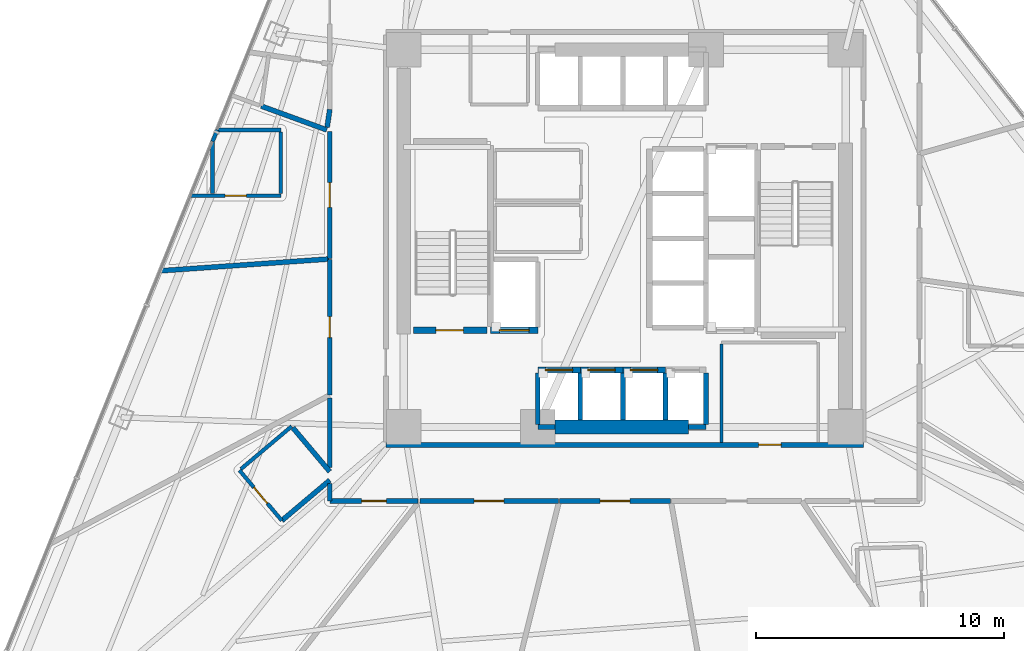
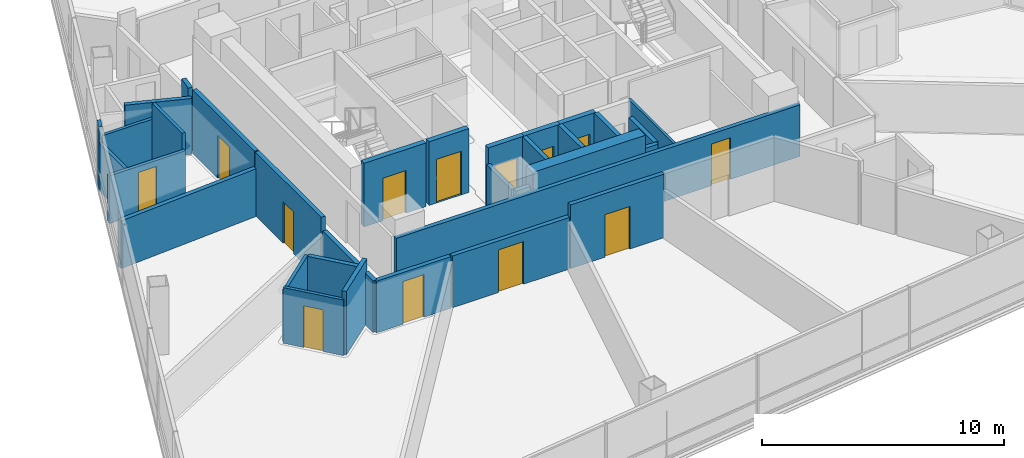
# One storey, part 7 of 15: 34 walls, 13 doors, 13 openings.
"""IFC4 building model written with IfcOpenShell, lengths in metres."""

from ifc_helpers import new_model, si_unit, direction, frame, frame_2d, origin, place, context, subcontext, project, spatial, rectangle, extrude, material, layer, layer_set, type_object, element, fill, save


model = new_model("IFC4")

# Units and contexts
model_context = context("Model", 3, precision=1e-05, world=origin(), true_north=direction((0.0, 1.0)))
body_context = subcontext(model_context, "Body", "Model", "MODEL_VIEW")
ifc_project = project(units=[si_unit("LENGTHUNIT", "METRE"), si_unit("AREAUNIT", "SQUARE_METRE"), si_unit("VOLUMEUNIT", "CUBIC_METRE"), si_unit("PLANEANGLEUNIT", "RADIAN"), si_unit("MASSUNIT", "GRAM", prefix="KILO")], contexts=[model_context])

# Site, building, storey
site_placement = place(None, origin())
site = spatial("IfcSite", under=ifc_project, at=site_placement, CompositionType="ELEMENT")
building_placement = place(site_placement, origin())
building = spatial("IfcBuilding", under=site, at=building_placement, Name="Tharavind Bronze Gate", CompositionType="ELEMENT")
storey_placement = place(building_placement, frame((0.0, 0.0, 77.64990234375)))
storey = spatial("IfcBuildingStorey", under=building, at=storey_placement, Name="L19", CompositionType="ELEMENT", Elevation=77.64990234375)

# Wall, opening, door
ifc_material_1 = material(Name="Aerated Concrete Block", Category="concrete")
ifc_layer_1 = layer(ifc_material_1, 0.199951171875)
ifc_layer_set_1 = layer_set([ifc_layer_1], Name="Aerated Concrete Block")
wall_type_1 = type_object("IfcWallType", Name="FIRE RATED PARTITION 200", PredefinedType="PARTITIONING", material=ifc_layer_set_1)
wall_1_placement = place(storey_placement, frame((-9.6201171875, -8.320068359375, 0.0), z_axis=(0.0, 0.0, 1.0), x_axis=(1.0, 0.0, 0.0)))
wall_1 = element("IfcWall", 1, at=wall_1_placement, inside=storey, type_object=wall_type_1, Name="L19 south core corridor wall", PredefinedType="PARTITIONING", context=body_context, shape_type="SweptSolid", body=[
    extrude(rectangle(XDim=19.240234375, YDim=0.199951171875, at=frame_2d((9.6201171875, 0.0))), origin(), (0.0, 0.0, 1.0), 2.60498046875),
])
opening_1_placement = place(wall_1_placement, frame((15.02001953125, 0.0, 0.0)))
opening_1 = element("IfcOpeningElement", 2, at=opening_1_placement, cuts=wall_1, Name="Opening ID07", PredefinedType="OPENING", context=body_context, shape_type="SweptSolid", body=[
    extrude(rectangle(XDim=0.89990234375, YDim=2.10009765625, at=frame_2d((0.449951171875, 1.050048828125))), frame((0.0, 0.11009765625, 0.0), z_axis=(0.0, -1.0, 0.0), x_axis=(1.0, 0.0, 0.0)), (0.0, 0.0, 1.0), 0.219951171875),
])
ifc_material_2 = material(Name="Galvanised Fire Steel", Category="steel")
door_type_1 = type_object("IfcDoorType", Name="PLANT AND RISER FIRE DOOR 900X2100", OperationType="SINGLE_SWING_LEFT", PredefinedType="DOOR", material=ifc_material_2)
door_1_placement = place(opening_1_placement, origin())
door_1 = element("IfcDoor", 3, at=door_1_placement, inside=storey, type_object=door_type_1, Name="L19 Telecom Metering Room fire door", OperationType="SINGLE_SWING_LEFT", OverallHeight=2.10009765625, OverallWidth=0.89990234375, PredefinedType="DOOR", context=body_context, shape_type="SweptSolid", body=[
    extrude(rectangle(XDim=0.89990234375, YDim=2.10009765625, at=frame_2d((0.449951171875, 1.050048828125))), frame((0.0, 0.02490234375, 0.0), z_axis=(0.0, -1.0, 0.0), x_axis=(1.0, 0.0, 0.0)), (0.0, 0.0, 1.0), 0.050048828125),
])
fill(opening_1, door_1)

# Walls
wall_2_placement = place(storey_placement, frame((-12.0, 4.36767578125, 0.0), z_axis=(0.0, 0.0, 1.0), x_axis=(-0.939689330019, 0.342029184499, 0.0)))
element("IfcWall", 4, at=wall_2_placement, inside=storey, type_object=wall_type_1, Name="L19 En-Suite Bathroom partition", PredefinedType="PARTITIONING", context=body_context, shape_type="SweptSolid", body=[
    extrude(rectangle(XDim=2.808837890625, YDim=0.199951171875, at=frame_2d((1.404296875, 0.0))), origin(), (0.0, 0.0, 1.0), 2.80517578125),
])
wall_3_placement = place(storey_placement, frame((-11.8798828125, 5.19384765625, 0.0), z_axis=(0.0, 0.0, 1.0), x_axis=(-0.143909981619, -0.989590782693, 0.0)))
element("IfcWall", 5, at=wall_3_placement, inside=storey, type_object=wall_type_1, Name="L19 En-Suite Bathroom partition", PredefinedType="PARTITIONING", context=body_context, shape_type="SweptSolid", body=[
    extrude(rectangle(XDim=0.727783203125, YDim=0.199951171875, at=frame_2d((0.36376953125, 0.0))), origin(), (0.0, 0.0, 1.0), 3.210205078125),
])
wall_4_placement = place(storey_placement, frame((-11.8798828125, -9.744873046875, 0.0), z_axis=(0.0, 0.0, 1.0), x_axis=(-0.764712982519, -0.644371053328, 0.0)))
element("IfcWall", 6, at=wall_4_placement, inside=storey, type_object=wall_type_1, Name="L19 En-Suite Bathroom partition", PredefinedType="PARTITIONING", context=body_context, shape_type="SweptSolid", body=[
    extrude(rectangle(XDim=2.523681640625, YDim=0.199951171875, at=frame_2d((1.26171875, 0.0))), origin(), (0.0, 0.0, 1.0), 3.210205078125),
])
wall_5_placement = place(storey_placement, frame((-13.363037109375, -7.6337890625, 0.0), z_axis=(0.0, 0.0, 1.0), x_axis=(0.644400290836, -0.764688345125, 0.0)))
element("IfcWall", 7, at=wall_5_placement, inside=storey, type_object=wall_type_1, Name="L19 En-Suite Bathroom partition", PredefinedType="PARTITIONING", context=body_context, shape_type="SweptSolid", body=[
    extrude(rectangle(XDim=2.301513671875, YDim=0.199951171875, at=frame_2d((1.15087890625, 0.0))), origin(), (0.0, 0.0, 1.0), 2.60498046875),
])
wall_6_placement = place(storey_placement, frame((-18.688232421875, -1.306884765625, 0.0), z_axis=(0.0, 0.0, 1.0), x_axis=(0.997562443225, 0.069779451603, 0.0)))
element("IfcWall", 8, at=wall_6_placement, inside=storey, type_object=wall_type_1, Name="L19 Public Restrooms Block partition", PredefinedType="PARTITIONING", context=body_context, shape_type="SweptSolid", body=[
    extrude(rectangle(XDim=6.798095703125, YDim=0.199951171875, at=frame_2d((3.39892578125, 0.0))), origin(), (0.0, 0.0, 1.0), 2.405029296875),
])

# Wall, opening, door
wall_7_placement = place(storey_placement, frame((-11.8798828125, -0.857421875, 0.0), z_axis=(0.0, 0.0, 1.0), x_axis=(0.0, -1.0, 0.0)))
wall_7 = element("IfcWall", 9, at=wall_7_placement, inside=storey, type_object=wall_type_1, Name="L19 Public Restrooms Block partition", PredefinedType="PARTITIONING", context=body_context, shape_type="SweptSolid", body=[
    extrude(rectangle(XDim=5.4443359375, YDim=0.199951171875, at=frame_2d((2.72216796875, 0.0))), origin(), (0.0, 0.0, 1.0), 3.210205078125),
])
opening_2_placement = place(wall_7_placement, frame((2.297119140625, 0.0, 0.0)))
opening_2 = element("IfcOpeningElement", 10, at=opening_2_placement, cuts=wall_7, Name="Opening ID06", PredefinedType="OPENING", context=body_context, shape_type="SweptSolid", body=[
    extrude(rectangle(XDim=0.85009765625, YDim=2.10009765625, at=frame_2d((0.425048828125, 1.050048828125))), frame((0.0, 0.11009765625, 0.0), z_axis=(0.0, -1.0, 0.0), x_axis=(1.0, 0.0, 0.0)), (0.0, 0.0, 1.0), 0.219951171875),
])
ifc_material_3 = material(Name="Moisture-Resistant Timber", Category="wood")
door_type_2 = type_object("IfcDoorType", Name="BATHROOM PRIVACY DOOR 850X2100", OperationType="SINGLE_SWING_RIGHT", PredefinedType="DOOR", material=ifc_material_3)
door_2_placement = place(opening_2_placement, origin())
door_2 = element("IfcDoor", 11, at=door_2_placement, inside=storey, type_object=door_type_2, Name="L19 Public Restrooms Block door", OperationType="SINGLE_SWING_RIGHT", OverallHeight=2.10009765625, OverallWidth=0.85009765625, PredefinedType="DOOR", context=body_context, shape_type="SweptSolid", body=[
    extrude(rectangle(XDim=0.85009765625, YDim=2.10009765625, at=frame_2d((0.425048828125, 1.050048828125))), frame((0.0, 0.02490234375, 0.0), z_axis=(0.0, -1.0, 0.0), x_axis=(1.0, 0.0, 0.0)), (0.0, 0.0, 1.0), 0.050048828125),
])
fill(opening_2, door_2)

wall_8_placement = place(storey_placement, frame((-11.8798828125, 4.306396484375, 0.0), z_axis=(0.0, 0.0, 1.0), x_axis=(0.0, -1.0, 0.0)))
wall_8 = element("IfcWall", 12, at=wall_8_placement, inside=storey, type_object=wall_type_1, Name="L19 Hotel Guest Room partition", PredefinedType="PARTITIONING", context=body_context, shape_type="SweptSolid", body=[
    extrude(rectangle(XDim=5.11376953125, YDim=0.199951171875, at=frame_2d((2.556884765625, 0.0))), origin(), (0.0, 0.0, 1.0), 3.210205078125),
])
opening_3_placement = place(wall_8_placement, frame((2.056884765625, 0.0, 0.0)))
opening_3 = element("IfcOpeningElement", 13, at=opening_3_placement, cuts=wall_8, Name="Opening ID03", PredefinedType="OPENING", context=body_context, shape_type="SweptSolid", body=[
    extrude(rectangle(XDim=1.0, YDim=2.14990234375, at=frame_2d((0.5, 1.074951171875))), frame((0.0, 0.11009765625, 0.0), z_axis=(0.0, -1.0, 0.0), x_axis=(1.0, 0.0, 0.0)), (0.0, 0.0, 1.0), 0.219951171875),
])
ifc_material_4 = material(Name="Solid Timber Veneer", Category="wood")
door_type_3 = type_object("IfcDoorType", Name="HOTEL SUITE ENTRANCE DOOR 1000X2150", OperationType="SINGLE_SWING_LEFT", PredefinedType="DOOR", material=ifc_material_4)
door_3_placement = place(opening_3_placement, origin())
door_3 = element("IfcDoor", 14, at=door_3_placement, inside=storey, type_object=door_type_3, Name="L19 Hotel Guest Room door", OperationType="SINGLE_SWING_LEFT", OverallHeight=2.14990234375, OverallWidth=1.0, PredefinedType="DOOR", context=body_context, shape_type="SweptSolid", body=[
    extrude(rectangle(XDim=1.0, YDim=2.14990234375, at=frame_2d((0.5, 1.074951171875))), frame((0.0, 0.02490234375, 0.0), z_axis=(0.0, -1.0, 0.0), x_axis=(1.0, 0.0, 0.0)), (0.0, 0.0, 1.0), 0.050048828125),
])
fill(opening_3, door_3)

# Walls
wall_9_placement = place(storey_placement, frame((-11.8798828125, -6.435546875, 0.0), z_axis=(0.0, 0.0, 1.0), x_axis=(0.0, -1.0, 0.0)))
element("IfcWall", 15, at=wall_9_placement, inside=storey, type_object=wall_type_1, Name="L19 Deluxe Hotel Suite partition", PredefinedType="PARTITIONING", context=body_context, shape_type="SweptSolid", body=[
    extrude(rectangle(XDim=2.795166015625, YDim=0.199951171875, at=frame_2d((1.3974609375, 0.0))), origin(), (0.0, 0.0, 1.0), 2.60498046875),
])
wall_10_placement = place(storey_placement, frame((-11.8798828125, -9.882080078125, 0.0), z_axis=(0.0, 0.0, 1.0), x_axis=(0.0, -1.0, 0.0)))
element("IfcWall", 16, at=wall_10_placement, inside=storey, type_object=wall_type_1, Name="L19 Deluxe Hotel Suite partition", PredefinedType="PARTITIONING", context=body_context, shape_type="SweptSolid", body=[
    extrude(rectangle(XDim=0.697265625, YDim=0.199951171875, at=frame_2d((0.3486328125, 0.0))), origin(), (0.0, 0.0, 1.0), 2.60498046875),
])

# Wall, opening, door
wall_11_placement = place(storey_placement, frame((-11.87939453125, -10.580078125, 0.0), z_axis=(0.0, 0.0, 1.0), x_axis=(1.0, 0.0, 0.0)))
wall_11 = element("IfcWall", 17, at=wall_11_placement, inside=storey, type_object=wall_type_1, Name="L19 Deluxe Hotel Suite partition", PredefinedType="PARTITIONING", context=body_context, shape_type="SweptSolid", body=[
    extrude(rectangle(XDim=3.56201171875, YDim=0.199951171875, at=frame_2d((1.781005859375, 0.0))), origin(), (0.0, 0.0, 1.0), 2.60498046875),
])
opening_4_placement = place(wall_11_placement, frame((1.281005859375, 0.0, 0.0)))
opening_4 = element("IfcOpeningElement", 18, at=opening_4_placement, cuts=wall_11, Name="Opening ID03", PredefinedType="OPENING", context=body_context, shape_type="SweptSolid", body=[
    extrude(rectangle(XDim=1.0, YDim=2.14990234375, at=frame_2d((0.5, 1.074951171875))), frame((0.0, 0.11009765625, 0.0), z_axis=(0.0, -1.0, 0.0), x_axis=(1.0, 0.0, 0.0)), (0.0, 0.0, 1.0), 0.219951171875),
])
door_4_placement = place(opening_4_placement, origin())
door_4 = element("IfcDoor", 19, at=door_4_placement, inside=storey, type_object=door_type_3, Name="L19 Deluxe Hotel Suite door", OperationType="SINGLE_SWING_LEFT", OverallHeight=2.14990234375, OverallWidth=1.0, PredefinedType="DOOR", context=body_context, shape_type="SweptSolid", body=[
    extrude(rectangle(XDim=1.0, YDim=2.14990234375, at=frame_2d((0.5, 1.074951171875))), frame((0.0, 0.02490234375, 0.0), z_axis=(0.0, -1.0, 0.0), x_axis=(1.0, 0.0, 0.0)), (0.0, 0.0, 1.0), 0.050048828125),
])
fill(opening_4, door_4)

wall_12_placement = place(storey_placement, frame((-8.25390625, -10.580078125, 0.0), z_axis=(0.0, 0.0, 1.0), x_axis=(1.0, 0.0, 0.0)))
wall_12 = element("IfcWall", 20, at=wall_12_placement, inside=storey, type_object=wall_type_1, Name="L19 Hotel Guest Lounge partition", PredefinedType="PARTITIONING", context=body_context, shape_type="SweptSolid", body=[
    extrude(rectangle(XDim=5.583984375, YDim=0.199951171875, at=frame_2d((2.7919921875, 0.0))), origin(), (0.0, 0.0, 1.0), 2.60498046875),
])
opening_5_placement = place(wall_12_placement, frame((2.19189453125, 0.0, 0.0)))
opening_5 = element("IfcOpeningElement", 21, at=opening_5_placement, cuts=wall_12, Name="Opening ID05", PredefinedType="OPENING", context=body_context, shape_type="SweptSolid", body=[
    extrude(rectangle(XDim=1.199951171875, YDim=2.14990234375, at=frame_2d((0.60009765625, 1.074951171875))), frame((0.0, 0.11009765625, 0.0), z_axis=(0.0, -1.0, 0.0), x_axis=(1.0, 0.0, 0.0)), (0.0, 0.0, 1.0), 0.219951171875),
])
ifc_material_5 = material(Name="Acoustic Laminated Glass", Category="glass")
door_type_4 = type_object("IfcDoorType", Name="MEETING ROOM GLAZED DOOR 1200X2150", OperationType="SINGLE_SWING_LEFT", PredefinedType="DOOR", material=ifc_material_5)
door_5_placement = place(opening_5_placement, origin())
door_5 = element("IfcDoor", 22, at=door_5_placement, inside=storey, type_object=door_type_4, Name="L19 Hotel Guest Lounge door", OperationType="SINGLE_SWING_LEFT", OverallHeight=2.14990234375, OverallWidth=1.199951171875, PredefinedType="DOOR", context=body_context, shape_type="SweptSolid", body=[
    extrude(rectangle(XDim=1.199951171875, YDim=2.14990234375, at=frame_2d((0.60009765625, 1.074951171875))), frame((0.0, 0.02490234375, 0.0), z_axis=(0.0, -1.0, 0.0), x_axis=(1.0, 0.0, 0.0)), (0.0, 0.0, 1.0), 0.050048828125),
])
fill(opening_5, door_5)

wall_13_placement = place(storey_placement, frame((-2.618408203125, -10.580078125, 0.0), z_axis=(0.0, 0.0, 1.0), x_axis=(1.0, 0.0, 0.0)))
wall_13 = element("IfcWall", 23, at=wall_13_placement, inside=storey, type_object=wall_type_1, Name="L19 Hotel Guest Lounge partition", PredefinedType="PARTITIONING", context=body_context, shape_type="SweptSolid", body=[
    extrude(rectangle(XDim=4.462890625, YDim=0.199951171875, at=frame_2d((2.2314453125, 0.0))), origin(), (0.0, 0.0, 1.0), 3.210205078125),
])
opening_6_placement = place(wall_13_placement, frame((1.631103515625, 0.0, 0.0)))
opening_6 = element("IfcOpeningElement", 24, at=opening_6_placement, cuts=wall_13, Name="Opening ID05", PredefinedType="OPENING", context=body_context, shape_type="SweptSolid", body=[
    extrude(rectangle(XDim=1.199951171875, YDim=2.14990234375, at=frame_2d((0.60009765625, 1.074951171875))), frame((0.0, 0.11009765625, 0.0), z_axis=(0.0, -1.0, 0.0), x_axis=(1.0, 0.0, 0.0)), (0.0, 0.0, 1.0), 0.219951171875),
])
door_6_placement = place(opening_6_placement, origin())
door_6 = element("IfcDoor", 25, at=door_6_placement, inside=storey, type_object=door_type_4, Name="L19 Hotel Guest Lounge door", OperationType="SINGLE_SWING_LEFT", OverallHeight=2.14990234375, OverallWidth=1.199951171875, PredefinedType="DOOR", context=body_context, shape_type="SweptSolid", body=[
    extrude(rectangle(XDim=1.199951171875, YDim=2.14990234375, at=frame_2d((0.60009765625, 1.074951171875))), frame((0.0, 0.02490234375, 0.0), z_axis=(0.0, -1.0, 0.0), x_axis=(1.0, 0.0, 0.0)), (0.0, 0.0, 1.0), 0.050048828125),
])
fill(opening_6, door_6)

# Wall
ifc_material_6 = material(Name="Metal Stud Gypsum Partition", Category="gypsum")
ifc_layer_2 = layer(ifc_material_6, 0.1201171875)
ifc_layer_set_2 = layer_set([ifc_layer_2], Name="Metal Stud Gypsum Partition")
wall_type_2 = type_object("IfcWallType", Name="INTERIOR PARTITION WALL 120", PredefinedType="PARTITIONING", material=ifc_layer_set_2)
wall_14_placement = place(storey_placement, frame((3.89990234375, -4.264892578125, 0.0), z_axis=(0.0, 0.0, 1.0), x_axis=(0.0, -1.0, 0.0)))
element("IfcWall", 26, at=wall_14_placement, inside=storey, type_object=wall_type_2, Name="L19 Telecom Metering Room partition 4", PredefinedType="PARTITIONING", context=body_context, shape_type="SweptSolid", body=[
    extrude(rectangle(XDim=3.9501953125, YDim=0.1201171875, at=frame_2d((1.97509765625, 0.0))), origin(), (0.0, 0.0, 1.0), 2.405029296875),
])

# Wall, opening, door
ifc_material_7 = material(Name="Twin Stud Acoustic Gypsum", Category="gypsum")
ifc_layer_3 = layer(ifc_material_7, 0.14990234375)
ifc_layer_set_3 = layer_set([ifc_layer_3], Name="Twin Stud Acoustic Gypsum")
wall_type_3 = type_object("IfcWallType", Name="INTERIOR PARTITION WALL 150", PredefinedType="PARTITIONING", material=ifc_layer_set_3)
wall_15_placement = place(storey_placement, frame((-13.85009765625, 1.717529296875, 0.0), z_axis=(0.0, 0.0, 1.0), x_axis=(-1.0, 0.0, 0.0)))
wall_15 = element("IfcWall", 27, at=wall_15_placement, inside=storey, type_object=wall_type_3, Name="L19 En-Suite Bathroom partition", PredefinedType="PARTITIONING", context=body_context, shape_type="SweptSolid", body=[
    extrude(rectangle(XDim=3.63134765625, YDim=0.14990234375, at=frame_2d((1.815673828125, 0.0))), origin(), (0.0, 0.0, 1.0), 2.405029296875),
])
opening_7_placement = place(wall_15_placement, frame((1.39111328125, 0.0, 0.0)))
opening_7 = element("IfcOpeningElement", 28, at=opening_7_placement, cuts=wall_15, Name="Opening ID06", PredefinedType="OPENING", context=body_context, shape_type="SweptSolid", body=[
    extrude(rectangle(XDim=0.85009765625, YDim=2.10009765625, at=frame_2d((0.425048828125, 1.050048828125))), frame((0.0, 0.084951171875, 0.0), z_axis=(0.0, -1.0, 0.0), x_axis=(1.0, 0.0, 0.0)), (0.0, 0.0, 1.0), 0.16990234375),
])
door_7_placement = place(opening_7_placement, origin())
door_7 = element("IfcDoor", 29, at=door_7_placement, inside=storey, type_object=door_type_2, Name="L19 En-Suite Bathroom door", OperationType="SINGLE_SWING_RIGHT", OverallHeight=2.10009765625, OverallWidth=0.85009765625, PredefinedType="DOOR", context=body_context, shape_type="SweptSolid", body=[
    extrude(rectangle(XDim=0.85009765625, YDim=2.10009765625, at=frame_2d((0.425048828125, 1.050048828125))), frame((0.0, 0.02490234375, 0.0), z_axis=(0.0, -1.0, 0.0), x_axis=(1.0, 0.0, 0.0)), (0.0, 0.0, 1.0), 0.050048828125),
])
fill(opening_7, door_7)

# Walls
wall_16_placement = place(storey_placement, frame((-16.60009765625, 1.797607421875, 0.0), z_axis=(0.0, 0.0, 1.0), x_axis=(0.0, 1.0, 0.0)))
element("IfcWall", 30, at=wall_16_placement, inside=storey, type_object=wall_type_3, Name="L19 En-Suite Bathroom partition", PredefinedType="PARTITIONING", context=body_context, shape_type="SweptSolid", body=[
    extrude(rectangle(XDim=2.1015625, YDim=0.14990234375, at=frame_2d((1.05078125, 0.0))), origin(), (0.0, 0.0, 1.0), 2.405029296875),
])
wall_17_placement = place(storey_placement, frame((-16.60009765625, 3.899169921875, 0.0), z_axis=(0.0, 0.0, 1.0), x_axis=(0.374886357565, 0.92707077341, 0.0)))
element("IfcWall", 31, at=wall_17_placement, inside=storey, type_object=wall_type_3, Name="L19 En-Suite Bathroom partition", PredefinedType="PARTITIONING", context=body_context, shape_type="SweptSolid", body=[
    extrude(rectangle(XDim=0.50537109375, YDim=0.14990234375, at=frame_2d((0.252685546875, 0.0))), origin(), (0.0, 0.0, 1.0), 3.210205078125),
])
wall_18_placement = place(storey_placement, frame((-16.41064453125, 4.36767578125, 0.0), z_axis=(0.0, 0.0, 1.0), x_axis=(1.0, 0.0, 0.0)))
element("IfcWall", 32, at=wall_18_placement, inside=storey, type_object=wall_type_3, Name="L19 En-Suite Bathroom partition", PredefinedType="PARTITIONING", context=body_context, shape_type="SweptSolid", body=[
    extrude(rectangle(XDim=2.560546875, YDim=0.14990234375, at=frame_2d((1.2802734375, 0.0))), origin(), (0.0, 0.0, 1.0), 2.405029296875),
])
wall_19_placement = place(storey_placement, frame((-13.85009765625, 4.28759765625, 0.0), z_axis=(0.0, 0.0, 1.0), x_axis=(0.0, -1.0, 0.0)))
element("IfcWall", 33, at=wall_19_placement, inside=storey, type_object=wall_type_3, Name="L19 En-Suite Bathroom partition", PredefinedType="PARTITIONING", context=body_context, shape_type="SweptSolid", body=[
    extrude(rectangle(XDim=2.489990234375, YDim=0.14990234375, at=frame_2d((1.2451171875, 0.0))), origin(), (0.0, 0.0, 1.0), 3.210205078125),
])

# Wall, opening, door
wall_20_placement = place(storey_placement, frame((-13.809814453125, -11.37109375, 0.0), z_axis=(0.0, 0.0, 1.0), x_axis=(-0.644478981733, 0.764622025647, 0.0)))
wall_20 = element("IfcWall", 34, at=wall_20_placement, inside=storey, type_object=wall_type_3, Name="L19 En-Suite Bathroom partition", PredefinedType="PARTITIONING", context=body_context, shape_type="SweptSolid", body=[
    extrude(rectangle(XDim=2.64990234375, YDim=0.14990234375, at=frame_2d((1.324951171875, 0.0))), origin(), (0.0, 0.0, 1.0), 2.80517578125),
])
opening_8_placement = place(wall_20_placement, frame((0.89990234375, 0.0, 0.0)))
opening_8 = element("IfcOpeningElement", 35, at=opening_8_placement, cuts=wall_20, Name="Opening ID06", PredefinedType="OPENING", context=body_context, shape_type="SweptSolid", body=[
    extrude(rectangle(XDim=0.85009765625, YDim=2.10009765625, at=frame_2d((0.425048828125, 1.050048828125))), frame((0.0, 0.084951171875, 0.0), z_axis=(0.0, -1.0, 0.0), x_axis=(1.0, 0.0, 0.0)), (0.0, 0.0, 1.0), 0.16990234375),
])
door_8_placement = place(opening_8_placement, origin())
door_8 = element("IfcDoor", 36, at=door_8_placement, inside=storey, type_object=door_type_2, Name="L19 En-Suite Bathroom door", OperationType="SINGLE_SWING_RIGHT", OverallHeight=2.10009765625, OverallWidth=0.85009765625, PredefinedType="DOOR", context=body_context, shape_type="SweptSolid", body=[
    extrude(rectangle(XDim=0.85009765625, YDim=2.10009765625, at=frame_2d((0.425048828125, 1.050048828125))), frame((0.0, 0.02490234375, 0.0), z_axis=(0.0, -1.0, 0.0), x_axis=(1.0, 0.0, 0.0)), (0.0, 0.0, 1.0), 0.050048828125),
])
fill(opening_8, door_8)

# Wall
wall_21_placement = place(storey_placement, frame((-15.456298828125, -9.293212890625, 0.0), z_axis=(0.0, 0.0, 1.0), x_axis=(0.764709608169, 0.644375057846, 0.0)))
element("IfcWall", 37, at=wall_21_placement, inside=storey, type_object=wall_type_3, Name="L19 En-Suite Bathroom partition", PredefinedType="PARTITIONING", context=body_context, shape_type="SweptSolid", body=[
    extrude(rectangle(XDim=2.669921875, YDim=0.14990234375, at=frame_2d((1.3349609375, 0.0))), origin(), (0.0, 0.0, 1.0), 2.60498046875),
])

# Wall, opening, door
ifc_material_8 = material(Name="Concrete C50/60", Category="concrete")
ifc_layer_4 = layer(ifc_material_8, 0.25)
ifc_layer_set_4 = layer_set([ifc_layer_4], Name="Concrete C50/60")
wall_type_4 = type_object("IfcWallType", Name="RC CORE SHEAR WALL 250", PredefinedType="SHEAR", material=ifc_layer_set_4)
wall_22_placement = place(storey_placement, frame((-8.5, -3.699951171875, 0.0), z_axis=(0.0, 0.0, 1.0), x_axis=(1.0, 0.0, 0.0)))
wall_22 = element("IfcWall", 38, at=wall_22_placement, inside=storey, type_object=wall_type_4, Name="L19 ST1 shaft south wall", PredefinedType="SHEAR", context=body_context, shape_type="SweptSolid", body=[
    extrude(rectangle(XDim=2.949951171875, YDim=0.25, at=frame_2d((1.47509765625, 0.0))), origin(), (0.0, 0.0, 1.0), 3.210205078125),
])
opening_9_placement = place(wall_22_placement, frame((0.89990234375, 0.0, 0.0)))
opening_9 = element("IfcOpeningElement", 39, at=opening_9_placement, cuts=wall_22, Name="Opening ID01", PredefinedType="OPENING", context=body_context, shape_type="SweptSolid", body=[
    extrude(rectangle(XDim=1.10009765625, YDim=2.14990234375, at=frame_2d((0.550048828125, 1.074951171875))), frame((0.0, 0.135, 0.0), z_axis=(0.0, -1.0, 0.0), x_axis=(1.0, 0.0, 0.0)), (0.0, 0.0, 1.0), 0.27),
])
ifc_material_9 = material(Name="Fire-Rated Steel", Category="steel")
door_type_5 = type_object("IfcDoorType", Name="STAIR CORE FIRE DOOR 1100X2150", OperationType="SINGLE_SWING_LEFT", PredefinedType="DOOR", material=ifc_material_9)
door_9_placement = place(opening_9_placement, origin())
door_9 = element("IfcDoor", 40, at=door_9_placement, inside=storey, type_object=door_type_5, Name="L19 exit stair ST1 fire door", OperationType="SINGLE_SWING_LEFT", OverallHeight=2.14990234375, OverallWidth=1.10009765625, PredefinedType="DOOR", context=body_context, shape_type="SweptSolid", body=[
    extrude(rectangle(XDim=1.10009765625, YDim=2.14990234375, at=frame_2d((0.550048828125, 1.074951171875))), frame((0.0, 0.02490234375, 0.0), z_axis=(0.0, -1.0, 0.0), x_axis=(1.0, 0.0, 0.0)), (0.0, 0.0, 1.0), 0.050048828125),
])
fill(opening_9, door_9)

wall_23_placement = place(storey_placement, frame((-3.5, -5.300048828125, 0.0), z_axis=(0.0, 0.0, 1.0), x_axis=(1.0, 0.0, 0.0)))
wall_23 = element("IfcWall", 41, at=wall_23_placement, inside=storey, type_object=wall_type_4, Name="L19 lift PL1 shaft front wall", PredefinedType="SHEAR", context=body_context, shape_type="SweptSolid", body=[
    extrude(rectangle(XDim=1.71240234375, YDim=0.25, at=frame_2d((0.856201171875, 0.0))), origin(), (0.0, 0.0, 1.0), 3.210205078125),
])
opening_10_placement = place(wall_23_placement, frame((0.305908203125, 0.0, 0.0)))
opening_10 = element("IfcOpeningElement", 42, at=opening_10_placement, cuts=wall_23, Name="Opening LD01", PredefinedType="OPENING", context=body_context, shape_type="SweptSolid", body=[
    extrude(rectangle(XDim=1.10009765625, YDim=2.199951171875, at=frame_2d((0.550048828125, 1.10009765625))), frame((0.0, 0.135, 0.0), z_axis=(0.0, -1.0, 0.0), x_axis=(1.0, 0.0, 0.0)), (0.0, 0.0, 1.0), 0.27),
])
ifc_material_10 = material(Name="Brushed Bronze Stainless Steel", Category="steel")
door_type_6 = type_object("IfcDoorType", Name="LIFT LANDING SLIDING DOOR 1100X2200", OperationType="SLIDING_TO_LEFT", PredefinedType="DOOR", material=ifc_material_10)
door_10_placement = place(opening_10_placement, origin())
door_10 = element("IfcDoor", 43, at=door_10_placement, inside=storey, type_object=door_type_6, Name="L19 lift PL1 sliding landing door", OperationType="SLIDING_TO_LEFT", OverallHeight=2.199951171875, OverallWidth=1.10009765625, PredefinedType="DOOR", context=body_context, shape_type="SweptSolid", body=[
    extrude(rectangle(XDim=1.10009765625, YDim=2.199951171875, at=frame_2d((0.550048828125, 1.10009765625))), frame((0.0, 0.02490234375, 0.0), z_axis=(0.0, -1.0, 0.0), x_axis=(1.0, 0.0, 0.0)), (0.0, 0.0, 1.0), 0.050048828125),
])
fill(opening_10, door_10)

wall_24_placement = place(storey_placement, frame((-1.78759765625, -5.300048828125, 0.0), z_axis=(0.0, 0.0, 1.0), x_axis=(1.0, 0.0, 0.0)))
wall_24 = element("IfcWall", 44, at=wall_24_placement, inside=storey, type_object=wall_type_4, Name="L19 lift PL2 shaft front wall", PredefinedType="SHEAR", context=body_context, shape_type="SweptSolid", body=[
    extrude(rectangle(XDim=1.712646484375, YDim=0.25, at=frame_2d((0.8564453125, 0.0))), origin(), (0.0, 0.0, 1.0), 3.210205078125),
])
opening_11_placement = place(wall_24_placement, frame((0.305908203125, 0.0, 0.0)))
opening_11 = element("IfcOpeningElement", 45, at=opening_11_placement, cuts=wall_24, Name="Opening LD01", PredefinedType="OPENING", context=body_context, shape_type="SweptSolid", body=[
    extrude(rectangle(XDim=1.10009765625, YDim=2.199951171875, at=frame_2d((0.550048828125, 1.10009765625))), frame((0.0, 0.135, 0.0), z_axis=(0.0, -1.0, 0.0), x_axis=(1.0, 0.0, 0.0)), (0.0, 0.0, 1.0), 0.27),
])
door_11_placement = place(opening_11_placement, origin())
door_11 = element("IfcDoor", 46, at=door_11_placement, inside=storey, type_object=door_type_6, Name="L19 lift PL2 sliding landing door", OperationType="SLIDING_TO_LEFT", OverallHeight=2.199951171875, OverallWidth=1.10009765625, PredefinedType="DOOR", context=body_context, shape_type="SweptSolid", body=[
    extrude(rectangle(XDim=1.10009765625, YDim=2.199951171875, at=frame_2d((0.550048828125, 1.10009765625))), frame((0.0, 0.02490234375, 0.0), z_axis=(0.0, -1.0, 0.0), x_axis=(1.0, 0.0, 0.0)), (0.0, 0.0, 1.0), 0.050048828125),
])
fill(opening_11, door_11)

wall_25_placement = place(storey_placement, frame((-0.074951171875, -5.300048828125, 0.0), z_axis=(0.0, 0.0, 1.0), x_axis=(1.0, 0.0, 0.0)))
wall_25 = element("IfcWall", 47, at=wall_25_placement, inside=storey, type_object=wall_type_4, Name="L19 lift PL3 shaft front wall", PredefinedType="SHEAR", context=body_context, shape_type="SweptSolid", body=[
    extrude(rectangle(XDim=1.71240234375, YDim=0.25, at=frame_2d((0.856201171875, 0.0))), origin(), (0.0, 0.0, 1.0), 3.210205078125),
])
opening_12_placement = place(wall_25_placement, frame((0.305908203125, 0.0, 0.0)))
opening_12 = element("IfcOpeningElement", 48, at=opening_12_placement, cuts=wall_25, Name="Opening LD01", PredefinedType="OPENING", context=body_context, shape_type="SweptSolid", body=[
    extrude(rectangle(XDim=1.10009765625, YDim=2.199951171875, at=frame_2d((0.550048828125, 1.10009765625))), frame((0.0, 0.135, 0.0), z_axis=(0.0, -1.0, 0.0), x_axis=(1.0, 0.0, 0.0)), (0.0, 0.0, 1.0), 0.27),
])
door_12_placement = place(opening_12_placement, origin())
door_12 = element("IfcDoor", 49, at=door_12_placement, inside=storey, type_object=door_type_6, Name="L19 lift PL3 sliding landing door", OperationType="SLIDING_TO_LEFT", OverallHeight=2.199951171875, OverallWidth=1.10009765625, PredefinedType="DOOR", context=body_context, shape_type="SweptSolid", body=[
    extrude(rectangle(XDim=1.10009765625, YDim=2.199951171875, at=frame_2d((0.550048828125, 1.10009765625))), frame((0.0, 0.02490234375, 0.0), z_axis=(0.0, -1.0, 0.0), x_axis=(1.0, 0.0, 0.0)), (0.0, 0.0, 1.0), 0.050048828125),
])
fill(opening_12, door_12)

wall_26_placement = place(storey_placement, frame((-5.39990234375, -3.699951171875, 0.0), z_axis=(0.0, 0.0, 1.0), x_axis=(1.0, 0.0, 0.0)))
wall_26 = element("IfcWall", 50, at=wall_26_placement, inside=storey, type_object=wall_type_4, Name="L19 lift FFL1 shaft front wall", PredefinedType="SHEAR", context=body_context, shape_type="SweptSolid", body=[
    extrude(rectangle(XDim=1.89990234375, YDim=0.25, at=frame_2d((0.949951171875, 0.0))), origin(), (0.0, 0.0, 1.0), 3.210205078125),
])
opening_13_placement = place(wall_26_placement, frame((0.35009765625, 0.0, 0.0)))
opening_13 = element("IfcOpeningElement", 51, at=opening_13_placement, cuts=wall_26, Name="Opening LD02", PredefinedType="OPENING", context=body_context, shape_type="SweptSolid", body=[
    extrude(rectangle(XDim=1.199951171875, YDim=2.199951171875, at=frame_2d((0.60009765625, 1.10009765625))), frame((0.0, 0.135, 0.0), z_axis=(0.0, -1.0, 0.0), x_axis=(1.0, 0.0, 0.0)), (0.0, 0.0, 1.0), 0.27),
])
ifc_material_11 = material(Name="Brushed Stainless Steel", Category="steel")
door_type_7 = type_object("IfcDoorType", Name="FIREFIGHTING LIFT LANDING DOOR 1200X2200", OperationType="SLIDING_TO_RIGHT", PredefinedType="DOOR", material=ifc_material_11)
door_13_placement = place(opening_13_placement, origin())
door_13 = element("IfcDoor", 52, at=door_13_placement, inside=storey, type_object=door_type_7, Name="L19 lift FFL1 sliding landing door", OperationType="SLIDING_TO_RIGHT", OverallHeight=2.199951171875, OverallWidth=1.199951171875, PredefinedType="DOOR", context=body_context, shape_type="SweptSolid", body=[
    extrude(rectangle(XDim=1.199951171875, YDim=2.199951171875, at=frame_2d((0.60009765625, 1.10009765625))), frame((0.0, 0.02490234375, 0.0), z_axis=(0.0, -1.0, 0.0), x_axis=(1.0, 0.0, 0.0)), (0.0, 0.0, 1.0), 0.050048828125),
])
fill(opening_13, door_13)

# Walls
ifc_material_12 = material(Name="Concrete C60/75", Category="concrete")
ifc_layer_5 = layer(ifc_material_12, 0.550048828125)
ifc_layer_set_5 = layer_set([ifc_layer_5], Name="Concrete C60/75")
wall_type_5 = type_object("IfcWallType", Name="RC CORE SHEAR WALL 550", PredefinedType="SHEAR", material=ifc_layer_set_5)
wall_27_placement = place(storey_placement, frame((-2.800048828125, -7.60009765625, 0.0), z_axis=(0.0, 0.0, 1.0), x_axis=(1.0, 0.0, 0.0)))
element("IfcWall", 53, at=wall_27_placement, inside=storey, type_object=wall_type_5, Name="L19 south core shear wall", PredefinedType="SHEAR", context=body_context, shape_type="SweptSolid", body=[
    extrude(rectangle(XDim=5.380126953125, YDim=0.550048828125, at=frame_2d((2.68994140625, 0.0))), origin(), (0.0, 0.0, 1.0), 3.210205078125),
])
ifc_material_13 = material(Name="Concrete C40/50", Category="concrete")
ifc_layer_6 = layer(ifc_material_13, 0.199951171875)
ifc_layer_set_6 = layer_set([ifc_layer_6], Name="Concrete C40/50")
wall_type_6 = type_object("IfcWallType", Name="SHAFT ENCLOSURE WALL 200", PredefinedType="PARTITIONING", material=ifc_layer_set_6)
wall_28_placement = place(storey_placement, frame((-3.5, -7.60009765625, 0.0), z_axis=(0.0, 0.0, 1.0), x_axis=(1.0, 0.0, 0.0)))
element("IfcWall", 54, at=wall_28_placement, inside=storey, type_object=wall_type_6, Name="L19 lift PL1 shaft S enclosure wall", PredefinedType="PARTITIONING", context=body_context, shape_type="SweptSolid", body=[
    extrude(rectangle(XDim=0.699951171875, YDim=0.199951171875, at=frame_2d((0.35009765625, 0.0))), origin(), (0.0, 0.0, 1.0), 2.405029296875),
])
wall_29_placement = place(storey_placement, frame((-3.5, -7.4951171875, 0.0), z_axis=(0.0, 0.0, 1.0), x_axis=(0.0, 1.0, 0.0)))
element("IfcWall", 55, at=wall_29_placement, inside=storey, type_object=wall_type_6, Name="L19 lift PL1 shaft W enclosure wall", PredefinedType="PARTITIONING", context=body_context, shape_type="SweptSolid", body=[
    extrude(rectangle(XDim=2.065185546875, YDim=0.199951171875, at=frame_2d((1.03271484375, 0.0))), origin(), (0.0, 0.0, 1.0), 2.405029296875),
])
for number, where, z_axis, x_axis, name in (
    (56, (-1.78759765625, -7.320068359375, 0.0), (0.0, 0.0, 1.0), (0.0, 1.0, 0.0), "L19 lift PL1 shaft E enclosure wall"),
    (57, (-0.074951171875, -7.320068359375, 0.0), (0.0, 0.0, 1.0), (0.0, 1.0, 0.0), "L19 lift PL2 shaft E enclosure wall"),
    (58, (1.637451171875, -7.320068359375, 0.0), (0.0, 0.0, 1.0), (0.0, 1.0, 0.0), "L19 lift PL3 shaft E enclosure wall"),
):
    element("IfcWall", number, at=place(storey_placement, frame(where, z_axis=z_axis, x_axis=x_axis)), inside=storey, type_object=wall_type_6, Name=name, PredefinedType="PARTITIONING", context=body_context, shape_type="SweptSolid", body=[
        extrude(rectangle(XDim=1.89013671875, YDim=0.199951171875, at=frame_2d((0.945068359375, 0.0))), origin(), (0.0, 0.0, 1.0), 3.210205078125),
    ])
wall_30_placement = place(storey_placement, frame((2.580078125, -7.60009765625, 0.0), z_axis=(0.0, 0.0, 1.0), x_axis=(1.0, 0.0, 0.0)))
element("IfcWall", 59, at=wall_30_placement, inside=storey, type_object=wall_type_6, Name="L19 lift PL4 shaft S enclosure wall", PredefinedType="PARTITIONING", context=body_context, shape_type="SweptSolid", body=[
    extrude(rectangle(XDim=0.699951171875, YDim=0.199951171875, at=frame_2d((0.35009765625, 0.0))), origin(), (0.0, 0.0, 1.0), 2.405029296875),
])
wall_31_placement = place(storey_placement, frame((3.280029296875, -7.4951171875, 0.0), z_axis=(0.0, 0.0, 1.0), x_axis=(0.0, 1.0, 0.0)))
element("IfcWall", 60, at=wall_31_placement, inside=storey, type_object=wall_type_6, Name="L19 lift PL4 shaft E enclosure wall", PredefinedType="PARTITIONING", context=body_context, shape_type="SweptSolid", body=[
    extrude(rectangle(XDim=2.065185546875, YDim=0.199951171875, at=frame_2d((1.03271484375, 0.0))), origin(), (0.0, 0.0, 1.0), 2.405029296875),
])

save(model, "model.ifc")
